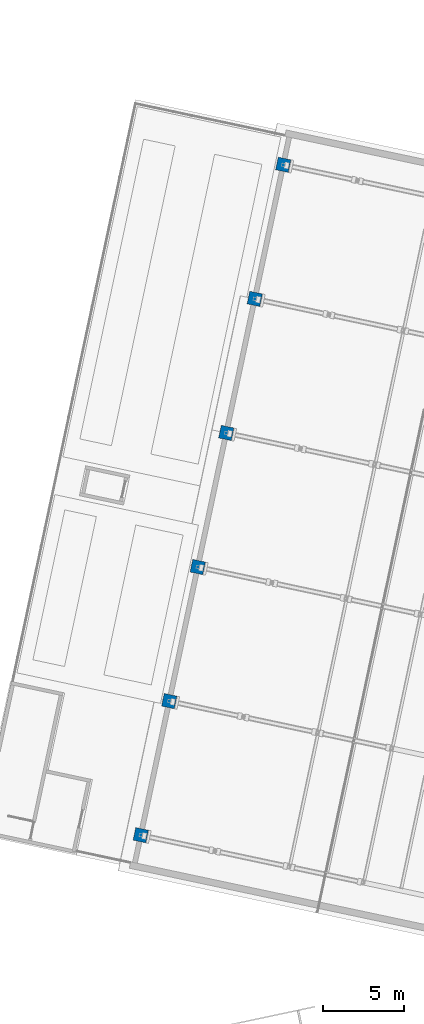
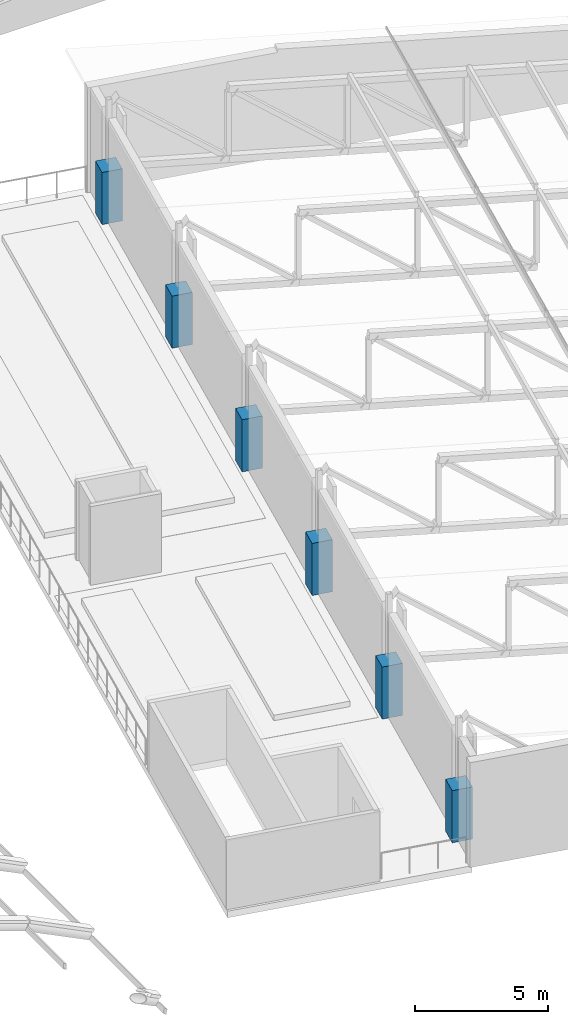
# One storey, part 16 of 196: 6 columns.
"""IFC4 building model written with IfcOpenShell, lengths in metres."""

from ifc_helpers import new_model, si_unit, direction, frame, origin, origin_2d, place, context, subcontext, project, spatial, rectangle, extrude, material, material_profile, profile_set, type_object, element, save


model = new_model("IFC4")

# Units and contexts
model_context = context("Model", 3, precision=1e-05, world=origin(), true_north=direction((0.0, 1.0)))
body_context = subcontext(model_context, "Body", "Model", "MODEL_VIEW")
ifc_project = project(units=[si_unit("LENGTHUNIT", "METRE"), si_unit("AREAUNIT", "SQUARE_METRE"), si_unit("VOLUMEUNIT", "CUBIC_METRE"), si_unit("PLANEANGLEUNIT", "RADIAN"), si_unit("MASSUNIT", "GRAM", prefix="KILO")], contexts=[model_context])

# Site, building, storey
site_placement = place(None, origin())
site = spatial("IfcSite", under=ifc_project, at=site_placement, CompositionType="ELEMENT")
building_placement = place(site_placement, origin())
building = spatial("IfcBuilding", under=site, at=building_placement, Name="Okhra Congress Centre", CompositionType="ELEMENT")
storey_placement = place(building_placement, frame((0.0, 0.0, 12.0)))
storey = spatial("IfcBuildingStorey", under=building, at=storey_placement, Name="L02", CompositionType="ELEMENT", Elevation=12.0)

# Columns
ifc_material = material(Name="Concrete C40/50", Category="concrete")
ifc_material_profile = material_profile(ifc_material, rectangle(XDim=0.800048828125, YDim=0.800048828125, at=origin_2d()), Name="RC 800x800")
ifc_profile_set = profile_set([ifc_material_profile], Name="Concrete C40/50")
column_type = type_object("IfcColumnType", Name="RC column 800x800 C40/50", PredefinedType="COLUMN", material=ifc_profile_set)
for number, where, z_axis, x_axis, name in (
    (1, (199.94970703125, 95.67431640625, 0.0), (0.0, 0.0, 1.0), (0.978147600734, -0.207911690818, 0.0), "Hall column W0"),
    (2, (201.717041015625, 103.988525390625, 0.0), (0.0, 0.0, 1.0), (0.978147600734, -0.207911690818, 0.0), "Hall column W1"),
    (3, (203.484130859375, 112.302734375, 0.0), (0.0, 0.0, 1.0), (0.978147600734, -0.207911690818, 0.0), "Hall column W2"),
    (4, (205.25146484375, 120.616943359375, 0.0), (0.0, 0.0, 1.0), (0.978147600734, -0.207911690818, 0.0), "Hall column W3"),
    (5, (207.018798828125, 128.93115234375, 0.0), (0.0, 0.0, 1.0), (0.978147600734, -0.207911690818, 0.0), "Hall column W4"),
    (6, (208.785888671875, 137.24560546875, 0.0), (0.0, 0.0, 1.0), (0.978147600734, -0.207911690818, 0.0), "Hall column W5"),
):
    element("IfcColumn", number, at=place(storey_placement, frame(where, z_axis=z_axis, x_axis=x_axis)), inside=storey, type_object=column_type, Name=name, PredefinedType="COLUMN", context=body_context, shape_type="SweptSolid", body=[
        extrude(rectangle(XDim=0.800048828125, YDim=0.800048828125, at=origin_2d()), origin(), (0.0, 0.0, 1.0), 2.3857421875),
    ])

save(model, "model.ifc")
